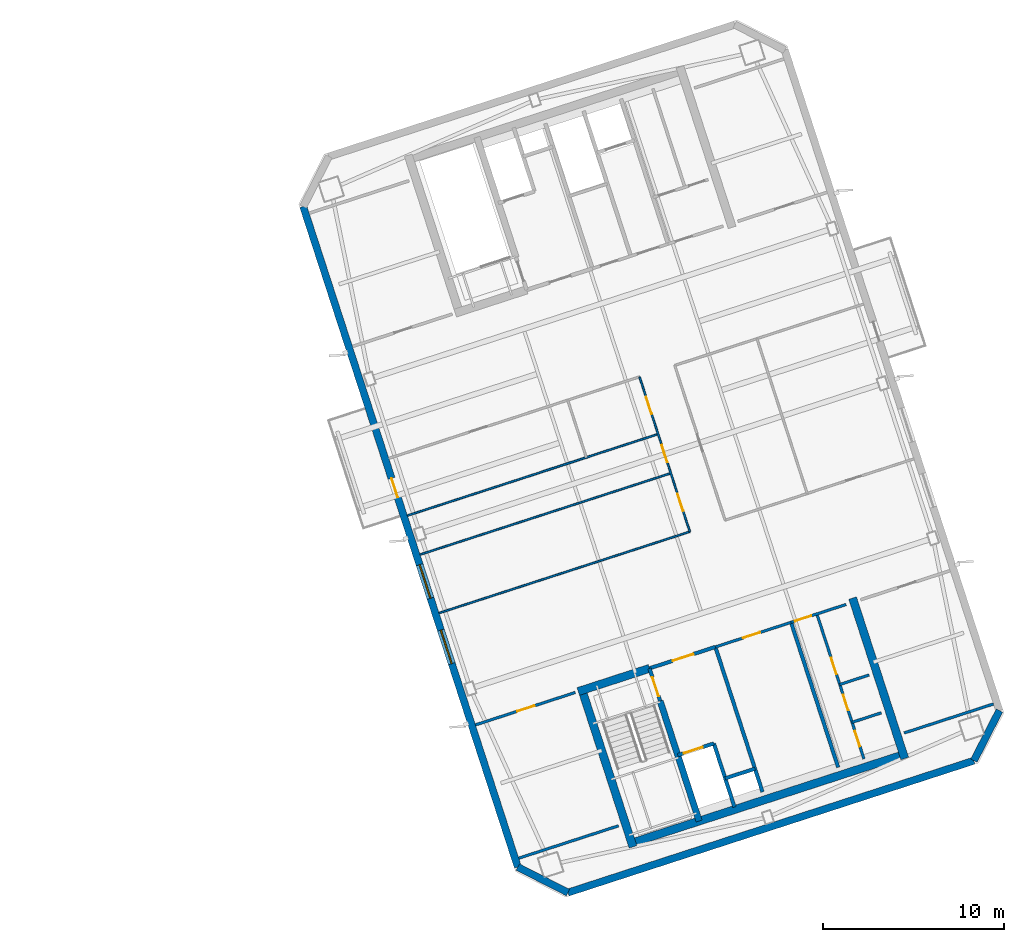
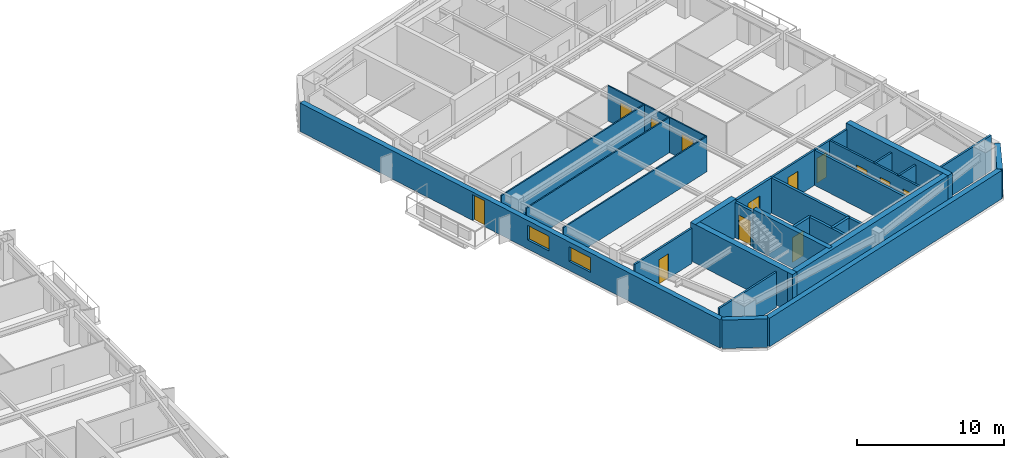
# One storey, part 8 of 17: 28 walls, 13 doors, 2 windows, 15 openings.
"""IFC4 building model written with IfcOpenShell, lengths in metres."""

from ifc_helpers import new_model, si_unit, direction, frame, frame_2d, origin, place, context, subcontext, project, spatial, rectangle, extrude, material, layer, layer_set, type_object, element, fill, save


model = new_model("IFC4")

# Units and contexts
model_context = context("Model", 3, precision=1e-05, world=origin(), true_north=direction((0.0, 1.0)))
body_context = subcontext(model_context, "Body", "Model", "MODEL_VIEW")
ifc_project = project(units=[si_unit("LENGTHUNIT", "METRE"), si_unit("AREAUNIT", "SQUARE_METRE"), si_unit("VOLUMEUNIT", "CUBIC_METRE"), si_unit("PLANEANGLEUNIT", "RADIAN"), si_unit("MASSUNIT", "GRAM", prefix="KILO")], contexts=[model_context])

# Site, building, storey
site_placement = place(None, origin())
site = spatial("IfcSite", under=ifc_project, at=site_placement, CompositionType="ELEMENT")
building_placement = place(site_placement, origin())
building = spatial("IfcBuilding", under=site, at=building_placement, Name="Qiaolan Cultural Towers", CompositionType="ELEMENT")
storey_placement = place(building_placement, frame((0.0, 0.0, 247.199951171875)))
storey = spatial("IfcBuildingStorey", under=building, at=storey_placement, Name="L67", CompositionType="ELEMENT", Elevation=247.199951171875)

# Walls
ifc_material_1 = material(Name="Concrete C50", Category="concrete")
ifc_layer_1 = layer(ifc_material_1, 0.35009765625)
ifc_layer_set_1 = layer_set([ifc_layer_1], Name="Concrete C50")
wall_type_1 = type_object("IfcWallType", Name="WL-CORE-350", PredefinedType="SHEAR", material=ifc_layer_set_1)
wall_1_placement = place(storey_placement, frame((90.486328125, 20.59423828125, 0.0), z_axis=(0.0, 0.0, 1.0), x_axis=(0.309020428229, -0.951055400562, 0.0)))
element("IfcWall", 1, at=wall_1_placement, inside=storey, type_object=wall_type_1, Name="L67 T2-CS Stair Core Dividing Web", PredefinedType="SHEAR", context=body_context, shape_type="SweptSolid", body=[
    extrude(rectangle(XDim=6.97998046875, YDim=0.35009765625, at=frame_2d((3.489990234375, 0.0))), origin(), (0.0, 0.0, 1.0), 3.199951171875),
])
ifc_material_2 = material(Name="Concrete C50", Category="concrete")
ifc_layer_2 = layer(ifc_material_2, 0.449951171875)
ifc_layer_set_2 = layer_set([ifc_layer_2], Name="Concrete C50")
wall_type_2 = type_object("IfcWallType", Name="WL-CORE-450", PredefinedType="SHEAR", material=ifc_layer_set_2)
wall_2_placement = place(storey_placement, frame((88.701171875, 12.675048828125, 0.0), z_axis=(0.0, 0.0, 1.0), x_axis=(0.95105824505, 0.309011673763, 0.0)))
element("IfcWall", 2, at=wall_2_placement, inside=storey, type_object=wall_type_2, Name="L67 T2-CS Outer Core Shear Wall", PredefinedType="SHEAR", context=body_context, shape_type="SweptSolid", body=[
    extrude(rectangle(XDim=16.250244140625, YDim=0.449951171875, at=frame_2d((8.125, 0.0))), origin(), (0.0, 0.0, 1.0), 3.199951171875),
])
for number, where, z_axis, x_axis, name in (
    (3, (86.1015625, 21.40380859375, 0.0), (0.0, 0.0, 1.0), (0.309035778627, -0.951050412717, 0.0), "L67 T2-CS West Core Shear Wall"),
    (4, (101.12841796875, 26.286376953125, 0.0), (0.0, 0.0, 1.0), (0.309004419953, -0.951060601881, 0.0), "L67 T2-CS East Core Shear Wall"),
):
    element("IfcWall", number, at=place(storey_placement, frame(where, z_axis=z_axis, x_axis=x_axis)), inside=storey, type_object=wall_type_2, Name=name, PredefinedType="SHEAR", context=body_context, shape_type="SweptSolid", body=[
        extrude(rectangle(XDim=9.330078125, YDim=0.449951171875, at=frame_2d((4.6650390625, 0.0))), origin(), (0.0, 0.0, 1.0), 3.199951171875),
    ])
wall_3_placement = place(storey_placement, frame((85.957275390625, 21.120361328125, 0.0), z_axis=(0.0, 0.0, 1.0), x_axis=(0.951064796122, 0.308991510526, 0.0)))
element("IfcWall", 5, at=wall_3_placement, inside=storey, type_object=wall_type_2, Name="L67 T2-CS Stair Front Shear Wall", PredefinedType="SHEAR", context=body_context, shape_type="SweptSolid", body=[
    extrude(rectangle(XDim=4.14501953125, YDim=0.449951171875, at=frame_2d((2.072509765625, 0.0))), origin(), (0.0, 0.0, 1.0), 3.199951171875),
])

# Wall, openings, door, windows
ifc_material_3 = material(Name="Precast Concrete C50 Honed Stone Pier", Category="masonry")
ifc_layer_3 = layer(ifc_material_3, 0.39990234375)
ifc_layer_set_3 = layer_set([ifc_layer_3], Name="Precast Concrete C50 Honed Stone Pier")
wall_type_3 = type_object("IfcWallType", Name="WL-EXT-PIER-400", PredefinedType="SOLIDWALL", material=ifc_layer_set_3)
wall_4_placement = place(storey_placement, frame((82.618408203125, 11.41357421875, 0.0), z_axis=(0.0, 0.0, 1.0), x_axis=(-0.309016491071, 0.951056679828, 0.0)))
wall_4 = element("IfcWall", 6, at=wall_4_placement, inside=storey, type_object=wall_type_3, Name="L67 East Tower Precast Pier Facade Wall F1", PredefinedType="SOLIDWALL", context=body_context, shape_type="SweptSolid", body=[
    extrude(rectangle(XDim=38.39990234375, YDim=0.39990234375, at=frame_2d((19.199951171875, 0.0))), origin(), (0.0, 0.0, 1.0), 2.360107421875),
])
opening_1_placement = place(wall_4_placement, frame((11.824951171875, 0.0, 0.75)))
opening_1 = element("IfcOpeningElement", 7, at=opening_1_placement, cuts=wall_4, Name="Opening W-06", PredefinedType="OPENING", context=body_context, shape_type="SweptSolid", body=[
    extrude(rectangle(XDim=1.949951171875, YDim=1.2099609375, at=frame_2d((0.97509765625, 0.60498046875))), frame((0.0, 0.2099609375, 0.0), z_axis=(0.0, -1.0, 0.0), x_axis=(1.0, 0.0, 0.0)), (0.0, 0.0, 1.0), 0.419921875),
])
opening_2_placement = place(wall_4_placement, frame((15.625, 0.0, 0.75)))
opening_2 = element("IfcOpeningElement", 8, at=opening_2_placement, cuts=wall_4, Name="Opening W-06", PredefinedType="OPENING", context=body_context, shape_type="SweptSolid", body=[
    extrude(rectangle(XDim=1.949951171875, YDim=1.2099609375, at=frame_2d((0.97509765625, 0.60498046875))), frame((0.0, 0.2099609375, 0.0), z_axis=(0.0, -1.0, 0.0), x_axis=(1.0, 0.0, 0.0)), (0.0, 0.0, 1.0), 0.419921875),
])
opening_3_placement = place(wall_4_placement, frame((21.5, 0.0, 0.0)))
opening_3 = element("IfcOpeningElement", 9, at=opening_3_placement, cuts=wall_4, Name="Opening BD-01", PredefinedType="OPENING", context=body_context, shape_type="SweptSolid", body=[
    extrude(rectangle(XDim=1.10009765625, YDim=2.14990234375, at=frame_2d((0.550048828125, 1.074951171875))), frame((0.0, 0.2099609375, 0.0), z_axis=(0.0, -1.0, 0.0), x_axis=(1.0, 0.0, 0.0)), (0.0, 0.0, 1.0), 0.419921875),
])
ifc_material_4 = material(Name="Thermally Broken Aluminium Glazed Terrace Door", Category="aluminium")
door_type_1 = type_object("IfcDoorType", Name="DR-BAL-1100", OperationType="NOTDEFINED", PredefinedType="DOOR", material=ifc_material_4)
door_1_placement = place(opening_3_placement, origin())
door_1 = element("IfcDoor", 10, at=door_1_placement, inside=storey, type_object=door_type_1, Name="L67 T2 West Tree Balcony Door", OperationType="SINGLE_SWING_LEFT", OverallHeight=2.14990234375, OverallWidth=1.10009765625, PredefinedType="DOOR", context=body_context, shape_type="SweptSolid", body=[
    extrude(rectangle(XDim=1.10009765625, YDim=2.14990234375, at=frame_2d((0.550048828125, 1.074951171875))), frame((0.0, 0.02490234375, 0.0), z_axis=(0.0, -1.0, 0.0), x_axis=(1.0, 0.0, 0.0)), (0.0, 0.0, 1.0), 0.050048828125),
])
fill(opening_3, door_1)
ifc_material_5 = material(Name="Thermally Broken Aluminium Triple Low-E Glazing", Category="aluminium")
window_type = type_object("IfcWindowType", Name="WN-CHIC-1950", PartitioningType="SINGLE_PANEL", PredefinedType="WINDOW", material=ifc_material_5)
window_1_placement = place(opening_1_placement, origin())
window_1 = element("IfcWindow", 11, at=window_1_placement, inside=storey, type_object=window_type, Name="L67 T2 W Chicago Bay Window 1", OverallHeight=1.2099609375, OverallWidth=1.949951171875, PartitioningType="TRIPLE_PANEL_VERTICAL", PredefinedType="WINDOW", context=body_context, shape_type="SweptSolid", body=[
    extrude(rectangle(XDim=1.949951171875, YDim=1.2099609375, at=frame_2d((0.97509765625, 0.60498046875))), frame((0.0, 0.030029296875, 0.0), z_axis=(0.0, -1.0, 0.0), x_axis=(1.0, 0.0, 0.0)), (0.0, 0.0, 1.0), 0.06005859375),
])
fill(opening_1, window_1)
window_2_placement = place(opening_2_placement, origin())
window_2 = element("IfcWindow", 12, at=window_2_placement, inside=storey, type_object=window_type, Name="L67 T2 W Chicago Bay Window 2", OverallHeight=1.2099609375, OverallWidth=1.949951171875, PartitioningType="TRIPLE_PANEL_VERTICAL", PredefinedType="WINDOW", context=body_context, shape_type="SweptSolid", body=[
    extrude(rectangle(XDim=1.949951171875, YDim=1.2099609375, at=frame_2d((0.97509765625, 0.60498046875))), frame((0.0, 0.030029296875, 0.0), z_axis=(0.0, -1.0, 0.0), x_axis=(1.0, 0.0, 0.0)), (0.0, 0.0, 1.0), 0.06005859375),
])
fill(opening_2, window_2)

# Walls
wall_5_placement = place(storey_placement, frame((109.247802734375, 20.06591796875, 0.0), z_axis=(0.0, 0.0, 1.0), x_axis=(-0.453949291228, -0.891027519774, 0.0)))
element("IfcWall", 13, at=wall_5_placement, inside=storey, type_object=wall_type_3, Name="L67 East Tower Precast Pier Facade Wall F6", PredefinedType="SOLIDWALL", context=body_context, shape_type="SweptSolid", body=[
    extrude(rectangle(XDim=3.111328125, YDim=0.39990234375, at=frame_2d((1.5556640625, 0.0))), origin(), (0.0, 0.0, 1.0), 2.360107421875),
])
wall_6_placement = place(storey_placement, frame((107.83544921875, 17.293701171875, 0.0), z_axis=(0.0, 0.0, 1.0), x_axis=(-0.951058012937, -0.309012388148, 0.0)))
element("IfcWall", 14, at=wall_6_placement, inside=storey, type_object=wall_type_3, Name="L67 East Tower Precast Pier Facade Wall F7", PredefinedType="SOLIDWALL", context=body_context, shape_type="SweptSolid", body=[
    extrude(rectangle(XDim=23.60009765625, YDim=0.39990234375, at=frame_2d((11.800048828125, 0.0))), origin(), (0.0, 0.0, 1.0), 2.360107421875),
])
wall_7_placement = place(storey_placement, frame((85.390380859375, 10.0009765625, 0.0), z_axis=(0.0, 0.0, 1.0), x_axis=(-0.890979603174, 0.454043331334, 0.0)))
element("IfcWall", 15, at=wall_7_placement, inside=storey, type_object=wall_type_3, Name="L67 East Tower Precast Pier Facade Wall F8", PredefinedType="SOLIDWALL", context=body_context, shape_type="SweptSolid", body=[
    extrude(rectangle(XDim=3.111083984375, YDim=0.39990234375, at=frame_2d((1.5556640625, 0.0))), origin(), (0.0, 0.0, 1.0), 2.360107421875),
])

# Wall, opening, door
ifc_material_6 = material(Name="Concrete C35 Fire Wall", Category="concrete")
ifc_layer_4 = layer(ifc_material_6, 0.199951171875)
ifc_layer_set_4 = layer_set([ifc_layer_4], Name="Concrete C35 Fire Wall")
wall_type_4 = type_object("IfcWallType", Name="WL-FIRE-200", PredefinedType="PARTITIONING", material=ifc_layer_set_4)
wall_8_placement = place(storey_placement, frame((89.8994140625, 22.401123046875, 0.0), z_axis=(0.0, 0.0, 1.0), x_axis=(0.308932062672, -0.951084108086, 0.0)))
wall_8 = element("IfcWall", 16, at=wall_8_placement, inside=storey, type_object=wall_type_4, Name="L67 T2-CS Smokeproof Stair Entry Wall", PredefinedType="PARTITIONING", context=body_context, shape_type="SweptSolid", body=[
    extrude(rectangle(XDim=1.89990234375, YDim=0.199951171875, at=frame_2d((0.949951171875, 0.0))), origin(), (0.0, 0.0, 1.0), 2.925048828125),
])
opening_4_placement = place(wall_8_placement, frame((0.52001953125, 0.0, 0.0)))
opening_4 = element("IfcOpeningElement", 17, at=opening_4_placement, cuts=wall_8, Name="Opening FD-04", PredefinedType="OPENING", context=body_context, shape_type="SweptSolid", body=[
    extrude(rectangle(XDim=1.10009765625, YDim=2.050048828125, at=frame_2d((0.550048828125, 1.02490234375))), frame((0.0, 0.10986328125, 0.0), z_axis=(0.0, -1.0, 0.0), x_axis=(1.0, 0.0, 0.0)), (0.0, 0.0, 1.0), 0.219970703125),
])
ifc_material_7 = material(Name="Galvanized Steel Command Fire Door", Category="steel")
door_type_2 = type_object("IfcDoorType", Name="DR-FD90-1100", OperationType="NOTDEFINED", PredefinedType="DOOR", material=ifc_material_7)
door_2_placement = place(opening_4_placement, origin())
door_2 = element("IfcDoor", 18, at=door_2_placement, inside=storey, type_object=door_type_2, Name="L67 ST-E1 Smokeproof Stair Fire Door", OperationType="SINGLE_SWING_LEFT", OverallHeight=2.050048828125, OverallWidth=1.10009765625, PredefinedType="DOOR", context=body_context, shape_type="SweptSolid", body=[
    extrude(rectangle(XDim=1.10009765625, YDim=2.050048828125, at=frame_2d((0.550048828125, 1.02490234375))), frame((0.0, 0.02490234375, 0.0), z_axis=(0.0, -1.0, 0.0), x_axis=(1.0, 0.0, 0.0)), (0.0, 0.0, 1.0), 0.050048828125),
])
fill(opening_4, door_2)

# Wall
wall_9_placement = place(storey_placement, frame((93.541748046875, 23.584716796875, 0.0), z_axis=(0.0, 0.0, 1.0), x_axis=(0.309042196757, -0.951048327176, 0.0)))
element("IfcWall", 19, at=wall_9_placement, inside=storey, type_object=wall_type_4, Name="L67 T2-CS Firefighting Zone Wall", PredefinedType="PARTITIONING", context=body_context, shape_type="SweptSolid", body=[
    extrude(rectangle(XDim=8.429931640625, YDim=0.199951171875, at=frame_2d((4.21484375, 0.0))), origin(), (0.0, 0.0, 1.0), 2.925048828125),
])

# Wall, opening, door
wall_10_placement = place(storey_placement, frame((89.8994140625, 22.401123046875, 0.0), z_axis=(0.0, 0.0, 1.0), x_axis=(0.951046716504, 0.309047153403, 0.0)))
wall_10 = element("IfcWall", 20, at=wall_10_placement, inside=storey, type_object=wall_type_4, Name="L67 T2-CS Firefighting Lobby Front Wall", PredefinedType="PARTITIONING", context=body_context, shape_type="SweptSolid", body=[
    extrude(rectangle(XDim=3.829833984375, YDim=0.199951171875, at=frame_2d((1.9150390625, 0.0))), origin(), (0.0, 0.0, 1.0), 2.925048828125),
])
opening_5_placement = place(wall_10_placement, frame((1.35009765625, 0.0, 0.0)))
opening_5 = element("IfcOpeningElement", 21, at=opening_5_placement, cuts=wall_10, Name="Opening FD-03", PredefinedType="OPENING", context=body_context, shape_type="SweptSolid", body=[
    extrude(rectangle(XDim=1.199951171875, YDim=2.050048828125, at=frame_2d((0.60009765625, 1.02490234375))), frame((0.0, 0.10986328125, 0.0), z_axis=(0.0, -1.0, 0.0), x_axis=(1.0, 0.0, 0.0)), (0.0, 0.0, 1.0), 0.219970703125),
])
ifc_material_8 = material(Name="Galvanized Steel Smokeproof Lobby Fire Door", Category="steel")
door_type_3 = type_object("IfcDoorType", Name="DR-FD90-1200", OperationType="NOTDEFINED", PredefinedType="DOOR", material=ifc_material_8)
door_3_placement = place(opening_5_placement, origin())
door_3 = element("IfcDoor", 22, at=door_3_placement, inside=storey, type_object=door_type_3, Name="L67 FFL-E1 Firefighting Lobby Fire Door", OperationType="SINGLE_SWING_LEFT", OverallHeight=2.050048828125, OverallWidth=1.199951171875, PredefinedType="DOOR", context=body_context, shape_type="SweptSolid", body=[
    extrude(rectangle(XDim=1.199951171875, YDim=2.050048828125, at=frame_2d((0.60009765625, 1.02490234375))), frame((0.0, 0.02490234375, 0.0), z_axis=(0.0, -1.0, 0.0), x_axis=(1.0, 0.0, 0.0)), (0.0, 0.0, 1.0), 0.050048828125),
])
fill(opening_5, door_3)

wall_11_placement = place(storey_placement, frame((91.459716796875, 17.598388671875, 0.0), z_axis=(0.0, 0.0, 1.0), x_axis=(0.951062257173, 0.308999325213, 0.0)))
wall_11 = element("IfcWall", 23, at=wall_11_placement, inside=storey, type_object=wall_type_4, Name="L67 T2-CS Firefighting Shaft Front Wall", PredefinedType="PARTITIONING", context=body_context, shape_type="SweptSolid", body=[
    extrude(rectangle(XDim=2.10009765625, YDim=0.199951171875, at=frame_2d((1.050048828125, 0.0))), origin(), (0.0, 0.0, 1.0), 2.925048828125),
])
opening_6_placement = place(wall_11_placement, frame((0.35009765625, 0.0, 0.0)))
opening_6 = element("IfcOpeningElement", 24, at=opening_6_placement, cuts=wall_11, Name="Opening LD-01", PredefinedType="OPENING", context=body_context, shape_type="SweptSolid", body=[
    extrude(rectangle(XDim=1.10009765625, YDim=2.050048828125, at=frame_2d((0.550048828125, 1.02490234375))), frame((0.0, 0.10986328125, 0.0), z_axis=(0.0, -1.0, 0.0), x_axis=(1.0, 0.0, 0.0)), (0.0, 0.0, 1.0), 0.219970703125),
])
ifc_material_9 = material(Name="Brushed Stainless Steel S30408 Centre-Parting Lift Landing Door", Category="steel")
door_type_4 = type_object("IfcDoorType", Name="DR-LIFT-1100", OperationType="NOTDEFINED", PredefinedType="DOOR", material=ifc_material_9)
door_4_placement = place(opening_6_placement, origin())
door_4 = element("IfcDoor", 25, at=door_4_placement, inside=storey, type_object=door_type_4, Name="L67 FFL-E1 Firefighting Lift Landing Door", OperationType="DOUBLE_DOOR_SLIDING", OverallHeight=2.050048828125, OverallWidth=1.10009765625, PredefinedType="DOOR", context=body_context, shape_type="SweptSolid", body=[
    extrude(rectangle(XDim=1.10009765625, YDim=2.050048828125, at=frame_2d((0.550048828125, 1.02490234375))), frame((0.0, 0.02490234375, 0.0), z_axis=(0.0, -1.0, 0.0), x_axis=(1.0, 0.0, 0.0)), (0.0, 0.0, 1.0), 0.050048828125),
])
fill(opening_6, door_4)

# Walls
wall_12_placement = place(storey_placement, frame((93.45703125, 18.247314453125, 0.0), z_axis=(0.0, 0.0, 1.0), x_axis=(0.3089935693, -0.951064127245, 0.0)))
element("IfcWall", 26, at=wall_12_placement, inside=storey, type_object=wall_type_4, Name="L67 T2-CS Firefighting Hoistway East Wall", PredefinedType="PARTITIONING", context=body_context, shape_type="SweptSolid", body=[
    extrude(rectangle(XDim=3.7001953125, YDim=0.199951171875, at=frame_2d((1.85009765625, 0.0))), origin(), (0.0, 0.0, 1.0), 2.925048828125),
])
wall_13_placement = place(storey_placement, frame((94.08447265625, 16.316650390625, 0.0), z_axis=(0.0, 0.0, 1.0), x_axis=(0.951041328149, 0.309063734775, 0.0)))
element("IfcWall", 27, at=wall_13_placement, inside=storey, type_object=wall_type_4, Name="L67 T2-CS Pressurization Shaft Front Wall", PredefinedType="PARTITIONING", context=body_context, shape_type="SweptSolid", body=[
    extrude(rectangle(XDim=1.72998046875, YDim=0.199951171875, at=frame_2d((0.864990234375, 0.0))), origin(), (0.0, 0.0, 1.0), 2.925048828125),
])
wall_14_placement = place(storey_placement, frame((97.7265625, 24.9443359375, 0.0), z_axis=(0.0, 0.0, 1.0), x_axis=(0.309016001439, -0.951056838919, 0.0)))
element("IfcWall", 28, at=wall_14_placement, inside=storey, type_object=wall_type_4, Name="L67 T2-CS Lift Core East Wall", PredefinedType="PARTITIONING", context=body_context, shape_type="SweptSolid", body=[
    extrude(rectangle(XDim=8.429931640625, YDim=0.199951171875, at=frame_2d((4.21484375, 0.0))), origin(), (0.0, 0.0, 1.0), 2.925048828125),
])
ifc_material_10 = material(Name="Acoustic Double-Glazed Partition Frame", Category="glass")
ifc_layer_5 = layer(ifc_material_10, 0.10009765625)
ifc_layer_set_5 = layer_set([ifc_layer_5], Name="Acoustic Double-Glazed Partition Frame")
wall_type_5 = type_object("IfcWallType", Name="WL-GLAZED-100", PredefinedType="MOVABLE", material=ifc_layer_set_5)
wall_15_placement = place(storey_placement, frame((78.26611328125, 25.455810546875, 0.0), z_axis=(0.0, 0.0, 1.0), x_axis=(0.951056346912, 0.309017515681, 0.0)))
element("IfcWall", 29, at=wall_15_placement, inside=storey, type_object=wall_type_5, Name="L67 T2 South Foyer West Wall", PredefinedType="MOVABLE", context=body_context, shape_type="SweptSolid", body=[
    extrude(rectangle(XDim=14.574951171875, YDim=0.10009765625, at=frame_2d((7.28759765625, 0.0))), origin(), (0.0, 0.0, 1.0), 2.925048828125),
])

# Wall, openings, doors
wall_16_placement = place(storey_placement, frame((92.127685546875, 29.959716796875, 0.0), z_axis=(0.0, 0.0, 1.0), x_axis=(-0.309024734286, 0.951054001411, 0.0)))
wall_16 = element("IfcWall", 30, at=wall_16_placement, inside=storey, type_object=wall_type_5, Name="L67 T2 Central Spine West Wall", PredefinedType="MOVABLE", context=body_context, shape_type="SweptSolid", body=[
    extrude(rectangle(XDim=9.0, YDim=0.10009765625, at=frame_2d((4.5, 0.0))), origin(), (0.0, 0.0, 1.0), 2.925048828125),
])
opening_7_placement = place(wall_16_placement, frame((1.199951171875, 0.0, 0.0)))
opening_7 = element("IfcOpeningElement", 31, at=opening_7_placement, cuts=wall_16, Name="Opening ID-04", PredefinedType="OPENING", context=body_context, shape_type="SweptSolid", body=[
    extrude(rectangle(XDim=1.0, YDim=2.050048828125, at=frame_2d((0.5, 1.02490234375))), frame((0.0, 0.06005859375, 0.0), z_axis=(0.0, -1.0, 0.0), x_axis=(1.0, 0.0, 0.0)), (0.0, 0.0, 1.0), 0.1201171875),
])
opening_8_placement = place(wall_16_placement, frame((4.034912109375, 0.0, 0.0)))
opening_8 = element("IfcOpeningElement", 32, at=opening_8_placement, cuts=wall_16, Name="Opening ID-04", PredefinedType="OPENING", context=body_context, shape_type="SweptSolid", body=[
    extrude(rectangle(XDim=1.0, YDim=2.050048828125, at=frame_2d((0.5, 1.02490234375))), frame((0.0, 0.06005859375, 0.0), z_axis=(0.0, -1.0, 0.0), x_axis=(1.0, 0.0, 0.0)), (0.0, 0.0, 1.0), 0.1201171875),
])
opening_9_placement = place(wall_16_placement, frame((6.8349609375, 0.0, 0.0)))
opening_9 = element("IfcOpeningElement", 33, at=opening_9_placement, cuts=wall_16, Name="Opening ID-04", PredefinedType="OPENING", context=body_context, shape_type="SweptSolid", body=[
    extrude(rectangle(XDim=1.0, YDim=2.050048828125, at=frame_2d((0.5, 1.02490234375))), frame((0.0, 0.06005859375, 0.0), z_axis=(0.0, -1.0, 0.0), x_axis=(1.0, 0.0, 0.0)), (0.0, 0.0, 1.0), 0.1201171875),
])
ifc_material_11 = material(Name="Oak Veneer Acoustic Office Door", Category="timber")
door_type_5 = type_object("IfcDoorType", Name="DR-INT-1000", OperationType="NOTDEFINED", PredefinedType="DOOR", material=ifc_material_11)
door_5_placement = place(opening_7_placement, origin())
door_5 = element("IfcDoor", 34, at=door_5_placement, inside=storey, type_object=door_type_5, Name="L67 T2 Collectors Art Gallery Door", OperationType="SINGLE_SWING_LEFT", OverallHeight=2.050048828125, OverallWidth=1.0, PredefinedType="DOOR", context=body_context, shape_type="SweptSolid", body=[
    extrude(rectangle(XDim=1.0, YDim=2.050048828125, at=frame_2d((0.5, 1.02490234375))), frame((0.0, 0.02490234375, 0.0), z_axis=(0.0, -1.0, 0.0), x_axis=(1.0, 0.0, 0.0)), (0.0, 0.0, 1.0), 0.050048828125),
])
fill(opening_7, door_5)
door_6_placement = place(opening_8_placement, origin())
door_6 = element("IfcDoor", 35, at=door_6_placement, inside=storey, type_object=door_type_5, Name="L67 T2 Collectors Art Gallery Door", OperationType="SINGLE_SWING_RIGHT", OverallHeight=2.050048828125, OverallWidth=1.0, PredefinedType="DOOR", context=body_context, shape_type="SweptSolid", body=[
    extrude(rectangle(XDim=1.0, YDim=2.050048828125, at=frame_2d((0.5, 1.02490234375))), frame((0.0, 0.02490234375, 0.0), z_axis=(0.0, -1.0, 0.0), x_axis=(1.0, 0.0, 0.0)), (0.0, 0.0, 1.0), 0.050048828125),
])
fill(opening_8, door_6)
door_7_placement = place(opening_9_placement, origin())
door_7 = element("IfcDoor", 36, at=door_7_placement, inside=storey, type_object=door_type_5, Name="L67 T2 Curatorial Room Door", OperationType="SINGLE_SWING_RIGHT", OverallHeight=2.050048828125, OverallWidth=1.0, PredefinedType="DOOR", context=body_context, shape_type="SweptSolid", body=[
    extrude(rectangle(XDim=1.0, YDim=2.050048828125, at=frame_2d((0.5, 1.02490234375))), frame((0.0, 0.02490234375, 0.0), z_axis=(0.0, -1.0, 0.0), x_axis=(1.0, 0.0, 0.0)), (0.0, 0.0, 1.0), 0.050048828125),
])
fill(opening_9, door_7)

# Walls
for number, where, z_axis, x_axis, name in (
    (37, (77.21533203125, 28.689453125, 0.0), (0.0, 0.0, 1.0), (0.951056346912, 0.309017515681, 0.0), "L67 T2 Interior Wall"),
    (38, (76.513916015625, 30.848388671875, 0.0), (0.0, 0.0, 1.0), (0.951056346912, 0.309017515681, 0.0), "L67 T2 Interior Wall"),
):
    element("IfcWall", number, at=place(storey_placement, frame(where, z_axis=z_axis, x_axis=x_axis)), inside=storey, type_object=wall_type_5, Name=name, PredefinedType="MOVABLE", context=body_context, shape_type="SweptSolid", body=[
        extrude(rectangle(XDim=14.574951171875, YDim=0.10009765625, at=frame_2d((7.28759765625, 0.0))), origin(), (0.0, 0.0, 1.0), 2.925048828125),
    ])

# Wall, opening, door
ifc_material_12 = material(Name="Autoclaved Aerated Concrete Block B06", Category="concrete")
ifc_layer_6 = layer(ifc_material_12, 0.14990234375)
ifc_layer_set_6 = layer_set([ifc_layer_6], Name="Autoclaved Aerated Concrete Block B06")
wall_type_6 = type_object("IfcWallType", Name="WL-PART-150", PredefinedType="PARTITIONING", material=ifc_layer_set_6)
wall_17_placement = place(storey_placement, frame((93.541748046875, 23.584716796875, 0.0), z_axis=(0.0, 0.0, 1.0), x_axis=(0.951063829732, 0.308994485023, 0.0)))
wall_17 = element("IfcWall", 39, at=wall_17_placement, inside=storey, type_object=wall_type_6, Name="L67 T2-CS Reclaimed Core Room Front Wall", PredefinedType="PARTITIONING", context=body_context, shape_type="SweptSolid", body=[
    extrude(rectangle(XDim=4.400146484375, YDim=0.14990234375, at=frame_2d((2.2001953125, 0.0))), origin(), (0.0, 0.0, 1.0), 2.925048828125),
])
opening_10_placement = place(wall_17_placement, frame((1.60009765625, 0.0, 0.0)))
opening_10 = element("IfcOpeningElement", 40, at=opening_10_placement, cuts=wall_17, Name="Opening ID-04", PredefinedType="OPENING", context=body_context, shape_type="SweptSolid", body=[
    extrude(rectangle(XDim=1.0, YDim=2.050048828125, at=frame_2d((0.5, 1.02490234375))), frame((0.0, 0.0849609375, 0.0), z_axis=(0.0, -1.0, 0.0), x_axis=(1.0, 0.0, 0.0)), (0.0, 0.0, 1.0), 0.169921875),
])
door_8_placement = place(opening_10_placement, origin())
door_8 = element("IfcDoor", 41, at=door_8_placement, inside=storey, type_object=door_type_5, Name="L67 Reclaimed Archive Room Door", OperationType="SINGLE_SWING_LEFT", OverallHeight=2.050048828125, OverallWidth=1.0, PredefinedType="DOOR", context=body_context, shape_type="SweptSolid", body=[
    extrude(rectangle(XDim=1.0, YDim=2.050048828125, at=frame_2d((0.5, 1.02490234375))), frame((0.0, 0.02490234375, 0.0), z_axis=(0.0, -1.0, 0.0), x_axis=(1.0, 0.0, 0.0)), (0.0, 0.0, 1.0), 0.050048828125),
])
fill(opening_10, door_8)

wall_18_placement = place(storey_placement, frame((97.7265625, 24.9443359375, 0.0), z_axis=(0.0, 0.0, 1.0), x_axis=(0.951036872128, 0.309077446369, 0.0)))
wall_18 = element("IfcWall", 42, at=wall_18_placement, inside=storey, type_object=wall_type_6, Name="L67 T2-CS Sanitary Core Front Wall", PredefinedType="PARTITIONING", context=body_context, shape_type="SweptSolid", body=[
    extrude(rectangle(XDim=3.199951171875, YDim=0.14990234375, at=frame_2d((1.60009765625, 0.0))), origin(), (0.0, 0.0, 1.0), 2.925048828125),
])
opening_11_placement = place(wall_18_placement, frame((0.219970703125, 0.0, 0.0)))
opening_11 = element("IfcOpeningElement", 43, at=opening_11_placement, cuts=wall_18, Name="Opening ID-05", PredefinedType="OPENING", context=body_context, shape_type="SweptSolid", body=[
    extrude(rectangle(XDim=0.949951171875, YDim=2.050048828125, at=frame_2d((0.47509765625, 1.02490234375))), frame((0.0, 0.0849609375, 0.0), z_axis=(0.0, -1.0, 0.0), x_axis=(1.0, 0.0, 0.0)), (0.0, 0.0, 1.0), 0.169921875),
])
ifc_material_13 = material(Name="Fire-Rated Laminate Accessible Core Door", Category="timber")
door_type_6 = type_object("IfcDoorType", Name="DR-INT-950", OperationType="NOTDEFINED", PredefinedType="DOOR", material=ifc_material_13)
door_9_placement = place(opening_11_placement, origin())
door_9 = element("IfcDoor", 44, at=door_9_placement, inside=storey, type_object=door_type_6, Name="L67 Sanitary Vestibule Door", OperationType="SINGLE_SWING_LEFT", OverallHeight=2.050048828125, OverallWidth=0.949951171875, PredefinedType="DOOR", context=body_context, shape_type="SweptSolid", body=[
    extrude(rectangle(XDim=0.949951171875, YDim=2.050048828125, at=frame_2d((0.47509765625, 1.02490234375))), frame((0.0, 0.02490234375, 0.0), z_axis=(0.0, -1.0, 0.0), x_axis=(1.0, 0.0, 0.0)), (0.0, 0.0, 1.0), 0.050048828125),
])
fill(opening_11, door_9)

# Wall, openings, doors
wall_19_placement = place(storey_placement, frame((99.153076171875, 25.407958984375, 0.0), z_axis=(0.0, 0.0, 1.0), x_axis=(0.309016001439, -0.951056838919, 0.0)))
wall_19 = element("IfcWall", 45, at=wall_19_placement, inside=storey, type_object=wall_type_6, Name="L67 T2-CS Sanitary Vestibule Wall", PredefinedType="PARTITIONING", context=body_context, shape_type="SweptSolid", body=[
    extrude(rectangle(XDim=8.429931640625, YDim=0.14990234375, at=frame_2d((4.21484375, 0.0))), origin(), (0.0, 0.0, 1.0), 2.925048828125),
])
opening_12_placement = place(wall_19_placement, frame((2.550048828125, 0.0, 0.0)))
opening_12 = element("IfcOpeningElement", 46, at=opening_12_placement, cuts=wall_19, Name="Opening ID-05", PredefinedType="OPENING", context=body_context, shape_type="SweptSolid", body=[
    extrude(rectangle(XDim=0.949951171875, YDim=2.050048828125, at=frame_2d((0.47509765625, 1.02490234375))), frame((0.0, 0.0849609375, 0.0), z_axis=(0.0, -1.0, 0.0), x_axis=(1.0, 0.0, 0.0)), (0.0, 0.0, 1.0), 0.169921875),
])
opening_13_placement = place(wall_19_placement, frame((4.699951171875, 0.0, 0.0)))
opening_13 = element("IfcOpeningElement", 47, at=opening_13_placement, cuts=wall_19, Name="Opening ID-06", PredefinedType="OPENING", context=body_context, shape_type="SweptSolid", body=[
    extrude(rectangle(XDim=0.89990234375, YDim=2.050048828125, at=frame_2d((0.449951171875, 1.02490234375))), frame((0.0, 0.0849609375, 0.0), z_axis=(0.0, -1.0, 0.0), x_axis=(1.0, 0.0, 0.0)), (0.0, 0.0, 1.0), 0.169921875),
])
opening_14_placement = place(wall_19_placement, frame((6.800048828125, 0.0, 0.0)))
opening_14 = element("IfcOpeningElement", 48, at=opening_14_placement, cuts=wall_19, Name="Opening ID-06", PredefinedType="OPENING", context=body_context, shape_type="SweptSolid", body=[
    extrude(rectangle(XDim=0.89990234375, YDim=2.050048828125, at=frame_2d((0.449951171875, 1.02490234375))), frame((0.0, 0.0849609375, 0.0), z_axis=(0.0, -1.0, 0.0), x_axis=(1.0, 0.0, 0.0)), (0.0, 0.0, 1.0), 0.169921875),
])
ifc_material_14 = material(Name="Fire-Rated Laminate Core Service Door", Category="timber")
door_type_7 = type_object("IfcDoorType", Name="DR-INT-900", OperationType="NOTDEFINED", PredefinedType="DOOR", material=ifc_material_14)
door_10_placement = place(opening_13_placement, origin())
door_10 = element("IfcDoor", 49, at=door_10_placement, inside=storey, type_object=door_type_7, Name="L67 Men Washroom Door", OperationType="SINGLE_SWING_LEFT", OverallHeight=2.050048828125, OverallWidth=0.89990234375, PredefinedType="DOOR", context=body_context, shape_type="SweptSolid", body=[
    extrude(rectangle(XDim=0.89990234375, YDim=2.050048828125, at=frame_2d((0.449951171875, 1.02490234375))), frame((0.0, 0.02490234375, 0.0), z_axis=(0.0, -1.0, 0.0), x_axis=(1.0, 0.0, 0.0)), (0.0, 0.0, 1.0), 0.050048828125),
])
fill(opening_13, door_10)
door_11_placement = place(opening_14_placement, origin())
door_11 = element("IfcDoor", 50, at=door_11_placement, inside=storey, type_object=door_type_7, Name="L67 Women Washroom Door", OperationType="SINGLE_SWING_RIGHT", OverallHeight=2.050048828125, OverallWidth=0.89990234375, PredefinedType="DOOR", context=body_context, shape_type="SweptSolid", body=[
    extrude(rectangle(XDim=0.89990234375, YDim=2.050048828125, at=frame_2d((0.449951171875, 1.02490234375))), frame((0.0, 0.02490234375, 0.0), z_axis=(0.0, -1.0, 0.0), x_axis=(1.0, 0.0, 0.0)), (0.0, 0.0, 1.0), 0.050048828125),
])
fill(opening_14, door_11)
door_12_placement = place(opening_12_placement, origin())
door_12 = element("IfcDoor", 51, at=door_12_placement, inside=storey, type_object=door_type_6, Name="L67 Accessible Family Washroom Door", OperationType="SINGLE_SWING_LEFT", OverallHeight=2.050048828125, OverallWidth=0.949951171875, PredefinedType="DOOR", context=body_context, shape_type="SweptSolid", body=[
    extrude(rectangle(XDim=0.949951171875, YDim=2.050048828125, at=frame_2d((0.47509765625, 1.02490234375))), frame((0.0, 0.02490234375, 0.0), z_axis=(0.0, -1.0, 0.0), x_axis=(1.0, 0.0, 0.0)), (0.0, 0.0, 1.0), 0.050048828125),
])
fill(opening_12, door_12)

# Walls
wall_20_placement = place(storey_placement, frame((100.420166015625, 21.508544921875, 0.0), z_axis=(0.0, 0.0, 1.0), x_axis=(0.951040401051, 0.309066587596, 0.0)))
element("IfcWall", 52, at=wall_20_placement, inside=storey, type_object=wall_type_6, Name="L67 T2-CS Restroom Split Wall 1", PredefinedType="PARTITIONING", context=body_context, shape_type="SweptSolid", body=[
    extrude(rectangle(XDim=1.699951171875, YDim=0.14990234375, at=frame_2d((0.85009765625, 0.0))), origin(), (0.0, 0.0, 1.0), 2.925048828125),
])
wall_21_placement = place(storey_placement, frame((101.099853515625, 19.416259765625, 0.0), z_axis=(0.0, 0.0, 1.0), x_axis=(0.951054116971, 0.309024378638, 0.0)))
element("IfcWall", 53, at=wall_21_placement, inside=storey, type_object=wall_type_6, Name="L67 T2-CS Restroom Split Wall 2", PredefinedType="PARTITIONING", context=body_context, shape_type="SweptSolid", body=[
    extrude(rectangle(XDim=1.7001953125, YDim=0.14990234375, at=frame_2d((0.85009765625, 0.0))), origin(), (0.0, 0.0, 1.0), 2.925048828125),
])
wall_22_placement = place(storey_placement, frame((82.66943359375, 11.9033203125, 0.0), z_axis=(0.0, 0.0, 1.0), x_axis=(0.951059431056, 0.309008023519, 0.0)))
element("IfcWall", 54, at=wall_22_placement, inside=storey, type_object=wall_type_6, Name="L67 T2 Flank Wall FLK-SW", PredefinedType="PARTITIONING", context=body_context, shape_type="SweptSolid", body=[
    extrude(rectangle(XDim=5.800048828125, YDim=0.14990234375, at=frame_2d((2.89990234375, 0.0))), origin(), (0.0, 0.0, 1.0), 2.925048828125),
])

# Wall, opening, door
wall_23_placement = place(storey_placement, frame((80.274658203125, 19.27392578125, 0.0), z_axis=(0.0, 0.0, 1.0), x_axis=(0.951059431056, 0.309008023519, 0.0)))
wall_23 = element("IfcWall", 55, at=wall_23_placement, inside=storey, type_object=wall_type_6, Name="L67 T2 Flank Front FLK-SW", PredefinedType="PARTITIONING", context=body_context, shape_type="SweptSolid", body=[
    extrude(rectangle(XDim=5.800048828125, YDim=0.14990234375, at=frame_2d((2.89990234375, 0.0))), origin(), (0.0, 0.0, 1.0), 2.925048828125),
])
opening_15_placement = place(wall_23_placement, frame((2.43603515625, 0.0, 0.0)))
opening_15 = element("IfcOpeningElement", 56, at=opening_15_placement, cuts=wall_23, Name="Opening ID-04", PredefinedType="OPENING", context=body_context, shape_type="SweptSolid", body=[
    extrude(rectangle(XDim=1.0, YDim=2.050048828125, at=frame_2d((0.5, 1.02490234375))), frame((0.0, 0.0849609375, 0.0), z_axis=(0.0, -1.0, 0.0), x_axis=(1.0, 0.0, 0.0)), (0.0, 0.0, 1.0), 0.169921875),
])
door_13_placement = place(opening_15_placement, origin())
door_13 = element("IfcDoor", 57, at=door_13_placement, inside=storey, type_object=door_type_5, Name="L67 T2 Corner Studio Door", OperationType="SINGLE_SWING_LEFT", OverallHeight=2.050048828125, OverallWidth=1.0, PredefinedType="DOOR", context=body_context, shape_type="SweptSolid", body=[
    extrude(rectangle(XDim=1.0, YDim=2.050048828125, at=frame_2d((0.5, 1.02490234375))), frame((0.0, 0.02490234375, 0.0), z_axis=(0.0, -1.0, 0.0), x_axis=(1.0, 0.0, 0.0)), (0.0, 0.0, 1.0), 0.050048828125),
])
fill(opening_15, door_13)

# Wall
wall_24_placement = place(storey_placement, frame((103.97314453125, 18.8251953125, 0.0), z_axis=(0.0, 0.0, 1.0), x_axis=(0.951055112834, 0.309021313752, 0.0)))
element("IfcWall", 58, at=wall_24_placement, inside=storey, type_object=wall_type_6, Name="L67 T2 Flank Wall FLK-SE", PredefinedType="PARTITIONING", context=body_context, shape_type="SweptSolid", body=[
    extrude(rectangle(XDim=5.2001953125, YDim=0.14990234375, at=frame_2d((2.60009765625, 0.0))), origin(), (0.0, 0.0, 1.0), 2.925048828125),
])

save(model, "model.ifc")
